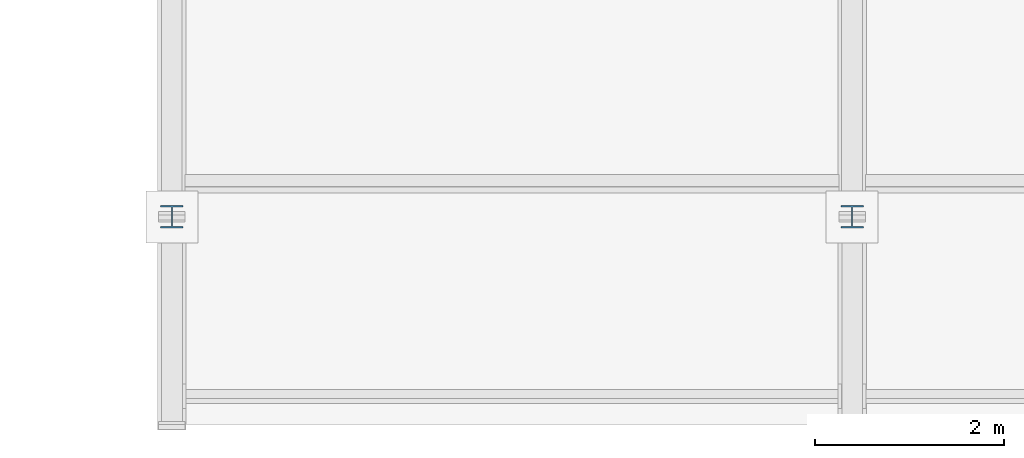
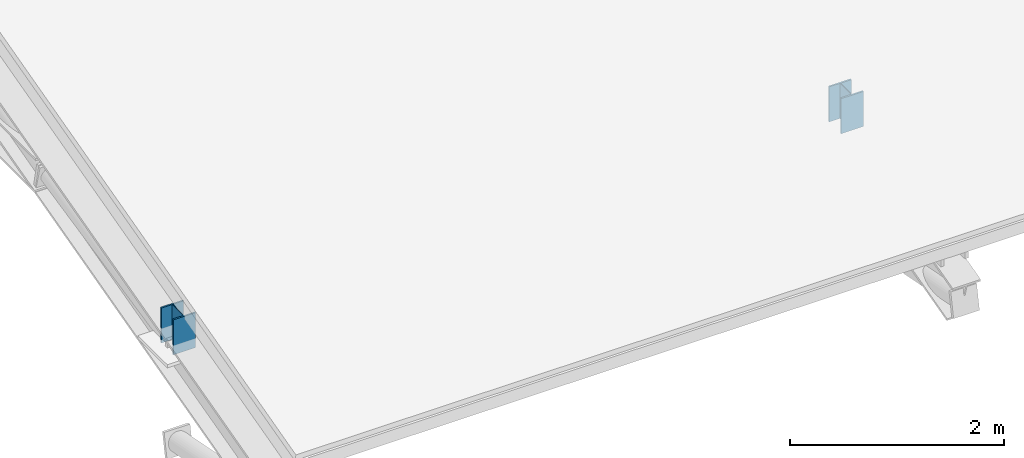
# One storey, part 20 of 57: 2 members.
"""IFC4 building model written with IfcOpenShell, lengths in metres."""

from ifc_helpers import new_model, si_unit, direction, frame, origin, origin_2d, place, context, subcontext, project, spatial, i_section, extrude, material, material_profile, profile_set, type_object, element, save


model = new_model("IFC4")

# Units and contexts
model_context = context("Model", 3, precision=1e-05, world=origin(), true_north=direction((0.0, 1.0)))
body_context = subcontext(model_context, "Body", "Model", "MODEL_VIEW")
ifc_project = project(units=[si_unit("LENGTHUNIT", "METRE"), si_unit("AREAUNIT", "SQUARE_METRE"), si_unit("VOLUMEUNIT", "CUBIC_METRE"), si_unit("PLANEANGLEUNIT", "RADIAN"), si_unit("MASSUNIT", "GRAM", prefix="KILO")], contexts=[model_context])

# Site, building, storey
site_placement = place(None, origin())
site = spatial("IfcSite", under=ifc_project, at=site_placement, CompositionType="ELEMENT")
building_placement = place(site_placement, origin())
building = spatial("IfcBuilding", under=site, at=building_placement, Name="Kelarvand Opera House", CompositionType="ELEMENT")
storey_placement = place(building_placement, frame((0.0, 0.0, 33.60009765625)))
storey = spatial("IfcBuildingStorey", under=building, at=storey_placement, Name="Roof", CompositionType="ELEMENT", Elevation=33.60009765625)

# Members
ifc_material = material(Name="Steel S355", Category="steel")
ifc_material_profile = material_profile(ifc_material, i_section(OverallWidth=0.239990234375, OverallDepth=0.239990234375, WebThickness=0.010009765625, FlangeThickness=0.01708984375, at=origin_2d()), Name="HEB 240", Category="steel")
ifc_profile_set = profile_set([ifc_material_profile], Name="Steel S355")
member_type = type_object("IfcMemberType", Name="Structural Post HEB 240 PS-HEB240", PredefinedType="POST", material=ifc_profile_set)
for number, where, z_axis, x_axis, name in (
    (1, (59.199951171875, 46.60009765625, 0.0), (0.0, 0.0, 1.0), (1.0, 0.0, 0.0), "V2 Roof Truss 1 Bearing Post S"),
    (2, (66.39990234375, 46.60009765625, 0.0), (0.0, 0.0, 1.0), (1.0, 0.0, 0.0), "V2 Roof Truss 2 Bearing Post S"),
):
    element("IfcMember", number, at=place(storey_placement, frame(where, z_axis=z_axis, x_axis=x_axis)), inside=storey, type_object=member_type, Name=name, PredefinedType="POST", context=body_context, shape_type="SweptSolid", body=[
        extrude(i_section(OverallWidth=0.239990234375, OverallDepth=0.239990234375, WebThickness=0.010009765625, FlangeThickness=0.01708984375, at=origin_2d()), origin(), (0.0, 0.0, 1.0), 0.39990234375),
    ])

save(model, "model.ifc")
